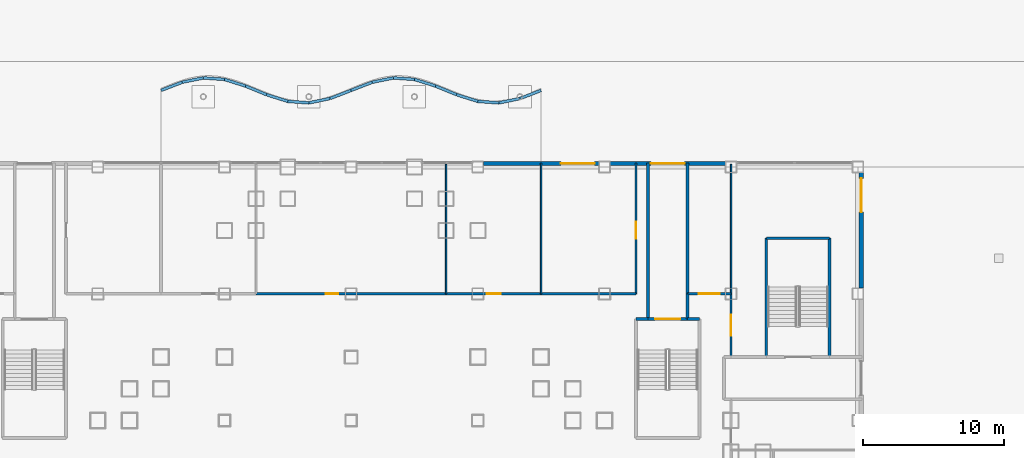
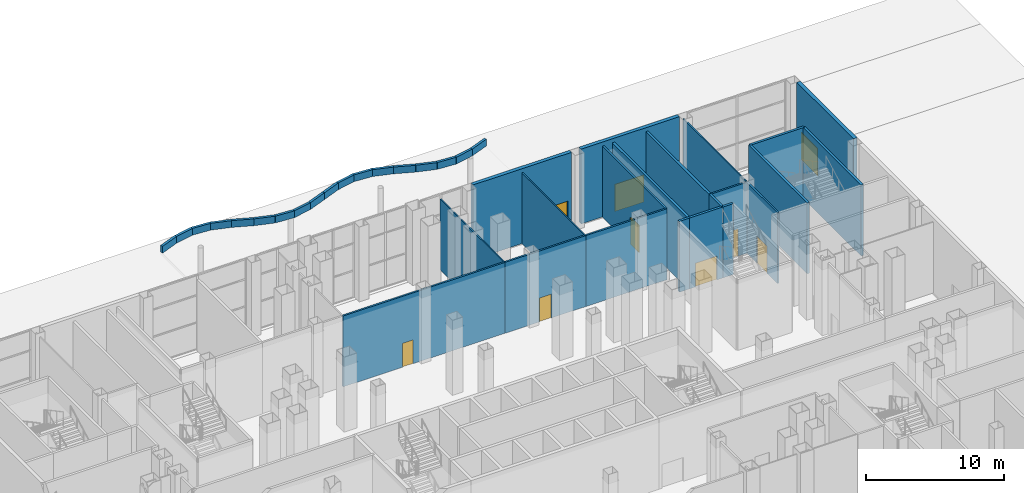
# One storey, part 17 of 38: 39 walls, 9 doors, 9 openings.
"""IFC4 building model written with IfcOpenShell, lengths in metres."""

from ifc_helpers import new_model, si_unit, direction, frame, frame_2d, origin, place, context, subcontext, project, spatial, rectangle, extrude, material, layer, layer_set, type_object, element, fill, save


model = new_model("IFC4")

# Units and contexts
model_context = context("Model", 3, precision=1e-05, world=origin(), true_north=direction((0.0, 1.0)))
body_context = subcontext(model_context, "Body", "Model", "MODEL_VIEW")
ifc_project = project(units=[si_unit("LENGTHUNIT", "METRE"), si_unit("AREAUNIT", "SQUARE_METRE"), si_unit("VOLUMEUNIT", "CUBIC_METRE"), si_unit("PLANEANGLEUNIT", "RADIAN"), si_unit("MASSUNIT", "GRAM", prefix="KILO")], contexts=[model_context])

# Site, building, storey
site_placement = place(None, origin())
site = spatial("IfcSite", under=ifc_project, at=site_placement, CompositionType="ELEMENT")
building_placement = place(site_placement, origin())
building = spatial("IfcBuilding", under=site, at=building_placement, Name="Caravel Reach Hotel and Residences", CompositionType="ELEMENT")
storey_placement = place(building_placement, origin())
storey = spatial("IfcBuildingStorey", under=building, at=storey_placement, Name="L00", CompositionType="ELEMENT", Elevation=0.0)

# Walls
ifc_material_1 = material(Name="Autoclaved aerated block wall")
ifc_layer_1 = layer(ifc_material_1, 0.199951171875)
ifc_layer_set_1 = layer_set([ifc_layer_1], Name="Compartment wall 200 mm EI 120")
wall_type_1 = type_object("IfcWallType", Name="Compartment wall 200 mm EI 120", PredefinedType="PARTITIONING", material=ifc_layer_set_1)
wall_1_placement = place(storey_placement, frame((52.60009765625, 43.199951171875, 0.0), z_axis=(0.0, 0.0, 1.0), x_axis=(0.0, 1.0, 0.0)))
element("IfcWall", 1, at=wall_1_placement, inside=storey, type_object=wall_type_1, Name="L00 wall w075", PredefinedType="PARTITIONING", context=body_context, shape_type="SweptSolid", body=[
    extrude(rectangle(XDim=11.090087890625, YDim=0.199951171875, at=frame_2d((5.544921875, 0.0))), origin(), (0.0, 0.0, 1.0), 6.25),
])
wall_2_placement = place(storey_placement, frame((55.39990234375, 43.199951171875, 0.0), z_axis=(0.0, 0.0, 1.0), x_axis=(0.0, 1.0, 0.0)))
element("IfcWall", 2, at=wall_2_placement, inside=storey, type_object=wall_type_1, Name="L00 wall w077", PredefinedType="PARTITIONING", context=body_context, shape_type="SweptSolid", body=[
    extrude(rectangle(XDim=1.800048828125, YDim=0.199951171875, at=frame_2d((0.89990234375, 0.0))), origin(), (0.0, 0.0, 1.0), 6.25),
])
wall_3_placement = place(storey_placement, frame((55.39990234375, 45.0, 0.0), z_axis=(0.0, 0.0, 1.0), x_axis=(0.0, 1.0, 0.0)))
element("IfcWall", 3, at=wall_3_placement, inside=storey, type_object=wall_type_1, Name="L00 wall w078", PredefinedType="PARTITIONING", context=body_context, shape_type="SweptSolid", body=[
    extrude(rectangle(XDim=9.2900390625, YDim=0.199951171875, at=frame_2d((4.64501953125, 0.0))), origin(), (0.0, 0.0, 1.0), 6.25),
])

# Wall, opening, door
ifc_material_2 = material(Name="Gypsum board on steel stud, fire-rated", Category="steel")
ifc_layer_2 = layer(ifc_material_2, 0.14990234375)
ifc_layer_set_2 = layer_set([ifc_layer_2], Name="Corridor wall 150 mm EI 60")
wall_type_2 = type_object("IfcWallType", Name="Corridor wall 150 mm EI 60", PredefinedType="PARTITIONING", material=ifc_layer_set_2)
wall_4_placement = place(storey_placement, frame((24.75, 45.0, 0.0), z_axis=(0.0, 0.0, 1.0), x_axis=(1.0, 0.0, 0.0)))
wall_4 = element("IfcWall", 4, at=wall_4_placement, inside=storey, type_object=wall_type_2, Name="L00 wall w014", PredefinedType="PARTITIONING", context=body_context, shape_type="SweptSolid", body=[
    extrude(rectangle(XDim=13.5, YDim=0.14990234375, at=frame_2d((6.75, 0.0))), origin(), (0.0, 0.0, 1.0), 6.25),
])
opening_1_placement = place(wall_4_placement, frame((4.949951171875, 0.0, 0.0)))
opening_1 = element("IfcOpeningElement", 5, at=opening_1_placement, cuts=wall_4, Name="Opening D00-042", PredefinedType="OPENING", context=body_context, shape_type="SweptSolid", body=[
    extrude(rectangle(XDim=0.89990234375, YDim=2.10009765625, at=frame_2d((0.449951171875, 1.050048828125))), frame((0.0, 0.0849609375, 0.0), z_axis=(0.0, -1.0, 0.0), x_axis=(1.0, 0.0, 0.0)), (0.0, 0.0, 1.0), 0.169921875),
])
ifc_material_3 = material(Name="Timber and steel door leaf", Category="steel")
door_type_1 = type_object("IfcDoorType", Name="Door 900 x 2100 timber", OperationType="SINGLE_SWING_LEFT", PredefinedType="DOOR", material=ifc_material_3)
door_1_placement = place(opening_1_placement, origin())
door_1 = element("IfcDoor", 6, at=door_1_placement, inside=storey, type_object=door_type_1, Name="door D00-042", OperationType="SINGLE_SWING_LEFT", OverallHeight=2.10009765625, OverallWidth=0.89990234375, PredefinedType="DOOR", context=body_context, shape_type="SweptSolid", body=[
    extrude(rectangle(XDim=0.89990234375, YDim=2.10009765625, at=frame_2d((0.449951171875, 1.050048828125))), frame((0.0, 0.02490234375, 0.0), z_axis=(0.0, -1.0, 0.0), x_axis=(1.0, 0.0, 0.0)), (0.0, 0.0, 1.0), 0.050048828125),
])
fill(opening_1, door_1)

wall_5_placement = place(storey_placement, frame((38.25, 45.0, 0.0), z_axis=(0.0, 0.0, 1.0), x_axis=(1.0, 0.0, 0.0)))
wall_5 = element("IfcWall", 7, at=wall_5_placement, inside=storey, type_object=wall_type_2, Name="L00 wall w015", PredefinedType="PARTITIONING", context=body_context, shape_type="SweptSolid", body=[
    extrude(rectangle(XDim=6.75, YDim=0.14990234375, at=frame_2d((3.375, 0.0))), origin(), (0.0, 0.0, 1.0), 6.25),
])
opening_2_placement = place(wall_5_placement, frame((2.875, 0.0, 0.0)))
opening_2 = element("IfcOpeningElement", 8, at=opening_2_placement, cuts=wall_5, Name="Opening D00-043", PredefinedType="OPENING", context=body_context, shape_type="SweptSolid", body=[
    extrude(rectangle(XDim=1.0, YDim=2.10009765625, at=frame_2d((0.5, 1.050048828125))), frame((0.0, 0.0849609375, 0.0), z_axis=(0.0, -1.0, 0.0), x_axis=(1.0, 0.0, 0.0)), (0.0, 0.0, 1.0), 0.169921875),
])
ifc_material_4 = material(Name="Steel fire door leaf", Category="steel")
door_type_2 = type_object("IfcDoorType", Name="Fire door 1000 x 2100 EI 60", OperationType="SINGLE_SWING_LEFT", PredefinedType="DOOR", material=ifc_material_4)
door_2_placement = place(opening_2_placement, origin())
door_2 = element("IfcDoor", 9, at=door_2_placement, inside=storey, type_object=door_type_2, Name="door D00-043", OperationType="SINGLE_SWING_RIGHT", OverallHeight=2.10009765625, OverallWidth=1.0, PredefinedType="DOOR", context=body_context, shape_type="SweptSolid", body=[
    extrude(rectangle(XDim=1.0, YDim=2.10009765625, at=frame_2d((0.5, 1.050048828125))), frame((0.0, 0.02490234375, 0.0), z_axis=(0.0, -1.0, 0.0), x_axis=(1.0, 0.0, 0.0)), (0.0, 0.0, 1.0), 0.050048828125),
])
fill(opening_2, door_2)

# Wall
wall_6_placement = place(storey_placement, frame((45.0, 45.0, 0.0), z_axis=(0.0, 0.0, 1.0), x_axis=(1.0, 0.0, 0.0)))
element("IfcWall", 10, at=wall_6_placement, inside=storey, type_object=wall_type_2, Name="L00 wall w016", PredefinedType="PARTITIONING", context=body_context, shape_type="SweptSolid", body=[
    extrude(rectangle(XDim=6.75, YDim=0.14990234375, at=frame_2d((3.375, 0.0))), origin(), (0.0, 0.0, 1.0), 6.25),
])

# Wall, opening, door
wall_7_placement = place(storey_placement, frame((55.39990234375, 45.0, 0.0), z_axis=(0.0, 0.0, 1.0), x_axis=(1.0, 0.0, 0.0)))
wall_7 = element("IfcWall", 11, at=wall_7_placement, inside=storey, type_object=wall_type_2, Name="L00 wall w017", PredefinedType="PARTITIONING", context=body_context, shape_type="SweptSolid", body=[
    extrude(rectangle(XDim=3.10009765625, YDim=0.14990234375, at=frame_2d((1.550048828125, 0.0))), origin(), (0.0, 0.0, 1.0), 6.25),
])
opening_3_placement = place(wall_7_placement, frame((0.800048828125, 0.0, 0.0)))
opening_3 = element("IfcOpeningElement", 12, at=opening_3_placement, cuts=wall_7, Name="Opening D00-045", PredefinedType="OPENING", context=body_context, shape_type="SweptSolid", body=[
    extrude(rectangle(XDim=1.5, YDim=2.39990234375, at=frame_2d((0.75, 1.199951171875))), frame((0.0, 0.0849609375, 0.0), z_axis=(0.0, -1.0, 0.0), x_axis=(1.0, 0.0, 0.0)), (0.0, 0.0, 1.0), 0.169921875),
])
ifc_material_5 = material(Name="Steel fire door leaf", Category="steel")
door_type_3 = type_object("IfcDoorType", Name="Service door pair 1500 x 2400 EI 60", OperationType="DOUBLE_DOOR_SINGLE_SWING", PredefinedType="DOOR", material=ifc_material_5)
door_3_placement = place(opening_3_placement, origin())
door_3 = element("IfcDoor", 13, at=door_3_placement, inside=storey, type_object=door_type_3, Name="door D00-045", OperationType="DOUBLE_DOOR_SINGLE_SWING", OverallHeight=2.39990234375, OverallWidth=1.5, PredefinedType="DOOR", context=body_context, shape_type="SweptSolid", body=[
    extrude(rectangle(XDim=1.5, YDim=2.39990234375, at=frame_2d((0.75, 1.199951171875))), frame((0.0, 0.02490234375, 0.0), z_axis=(0.0, -1.0, 0.0), x_axis=(1.0, 0.0, 0.0)), (0.0, 0.0, 1.0), 0.050048828125),
])
fill(opening_3, door_3)

wall_8_placement = place(storey_placement, frame((51.75, 45.0, 0.0), z_axis=(0.0, 0.0, 1.0), x_axis=(0.0, 1.0, 0.0)))
wall_8 = element("IfcWall", 14, at=wall_8_placement, inside=storey, type_object=wall_type_2, Name="L00 wall w027", PredefinedType="PARTITIONING", context=body_context, shape_type="SweptSolid", body=[
    extrude(rectangle(XDim=9.2900390625, YDim=0.14990234375, at=frame_2d((4.64501953125, 0.0))), origin(), (0.0, 0.0, 1.0), 6.25),
])
opening_4_placement = place(wall_8_placement, frame((3.89990234375, 0.0, 0.0)))
opening_4 = element("IfcOpeningElement", 15, at=opening_4_placement, cuts=wall_8, Name="Opening D00-044", PredefinedType="OPENING", context=body_context, shape_type="SweptSolid", body=[
    extrude(rectangle(XDim=1.199951171875, YDim=2.39990234375, at=frame_2d((0.60009765625, 1.199951171875))), frame((0.0, 0.0849609375, 0.0), z_axis=(0.0, -1.0, 0.0), x_axis=(1.0, 0.0, 0.0)), (0.0, 0.0, 1.0), 0.169921875),
])
ifc_material_6 = material(Name="Timber and steel door leaf", Category="steel")
door_type_4 = type_object("IfcDoorType", Name="Glazed door 1200 x 2400", OperationType="SINGLE_SWING_LEFT", PredefinedType="DOOR", material=ifc_material_6)
door_4_placement = place(opening_4_placement, origin())
door_4 = element("IfcDoor", 16, at=door_4_placement, inside=storey, type_object=door_type_4, Name="door D00-044", OperationType="SINGLE_SWING_RIGHT", OverallHeight=2.39990234375, OverallWidth=1.199951171875, PredefinedType="DOOR", context=body_context, shape_type="SweptSolid", body=[
    extrude(rectangle(XDim=1.199951171875, YDim=2.39990234375, at=frame_2d((0.60009765625, 1.199951171875))), frame((0.0, 0.02490234375, 0.0), z_axis=(0.0, -1.0, 0.0), x_axis=(1.0, 0.0, 0.0)), (0.0, 0.0, 1.0), 0.050048828125),
])
fill(opening_4, door_4)

wall_9_placement = place(storey_placement, frame((58.5, 40.5, 0.0), z_axis=(0.0, 0.0, 1.0), x_axis=(0.0, 1.0, 0.0)))
wall_9 = element("IfcWall", 17, at=wall_9_placement, inside=storey, type_object=wall_type_2, Name="L00 wall w031", PredefinedType="PARTITIONING", context=body_context, shape_type="SweptSolid", body=[
    extrude(rectangle(XDim=4.5, YDim=0.14990234375, at=frame_2d((2.25, 0.0))), origin(), (0.0, 0.0, 1.0), 6.25),
])
opening_5_placement = place(wall_9_placement, frame((1.5, 0.0, 0.0)))
opening_5 = element("IfcOpeningElement", 18, at=opening_5_placement, cuts=wall_9, Name="Opening D00-036", PredefinedType="OPENING", context=body_context, shape_type="SweptSolid", body=[
    extrude(rectangle(XDim=1.5, YDim=2.39990234375, at=frame_2d((0.75, 1.199951171875))), frame((0.0, 0.0849609375, 0.0), z_axis=(0.0, -1.0, 0.0), x_axis=(1.0, 0.0, 0.0)), (0.0, 0.0, 1.0), 0.169921875),
])
ifc_material_7 = material(Name="Timber and steel door leaf", Category="steel")
door_type_5 = type_object("IfcDoorType", Name="Shopfront door 1500 x 2400", OperationType="DOUBLE_DOOR_SINGLE_SWING", PredefinedType="DOOR", material=ifc_material_7)
door_5_placement = place(opening_5_placement, origin())
door_5 = element("IfcDoor", 19, at=door_5_placement, inside=storey, type_object=door_type_5, Name="door D00-036", OperationType="DOUBLE_DOOR_SINGLE_SWING", OverallHeight=2.39990234375, OverallWidth=1.5, PredefinedType="DOOR", context=body_context, shape_type="SweptSolid", body=[
    extrude(rectangle(XDim=1.5, YDim=2.39990234375, at=frame_2d((0.75, 1.199951171875))), frame((0.0, 0.02490234375, 0.0), z_axis=(0.0, -1.0, 0.0), x_axis=(1.0, 0.0, 0.0)), (0.0, 0.0, 1.0), 0.050048828125),
])
fill(opening_5, door_5)

ifc_material_8 = material(Name="Insulated wall, stone cladding", Category="masonry")
ifc_layer_3 = layer(ifc_material_8, 0.300048828125)
ifc_layer_set_3 = layer_set([ifc_layer_3], Name="EW2 Podium stone-clad wall")
wall_type_3 = type_object("IfcWallType", Name="EW2 Podium stone-clad wall", PredefinedType="SOLIDWALL", material=ifc_layer_set_3)
wall_10_placement = place(storey_placement, frame((67.75, 53.60009765625, 0.0), z_axis=(0.0, 0.0, 1.0), x_axis=(0.0, -1.0, 0.0)))
wall_10 = element("IfcWall", 20, at=wall_10_placement, inside=storey, type_object=wall_type_3, Name="External wall L00 E1.6", PredefinedType="SOLIDWALL", context=body_context, shape_type="SweptSolid", body=[
    extrude(rectangle(XDim=8.2001953125, YDim=0.300048828125, at=frame_2d((4.10009765625, 0.0))), origin(), (0.0, 0.0, 1.0), 6.60009765625),
])
opening_6_placement = place(wall_10_placement, frame((0.39990234375, 0.0, 0.0)))
opening_6 = element("IfcOpeningElement", 21, at=opening_6_placement, cuts=wall_10, Name="Opening D00-820", PredefinedType="OPENING", context=body_context, shape_type="SweptSolid", body=[
    extrude(rectangle(XDim=2.39990234375, YDim=2.39990234375, at=frame_2d((1.199951171875, 1.199951171875))), frame((0.0, 0.159912109375, 0.0), z_axis=(0.0, -1.0, 0.0), x_axis=(1.0, 0.0, 0.0)), (0.0, 0.0, 1.0), 0.320068359375),
])
ifc_material_9 = material(Name="Dark glazed door in black aluminium frame", Category="aluminium")
door_type_6 = type_object("IfcDoorType", Name="Entrance door 2400 x 2400", OperationType="DOUBLE_DOOR_SINGLE_SWING", PredefinedType="DOOR", material=ifc_material_9)
door_6_placement = place(opening_6_placement, origin())
door_6 = element("IfcDoor", 22, at=door_6_placement, inside=storey, type_object=door_type_6, Name="Door D00-820", OperationType="DOUBLE_DOOR_SINGLE_SWING", OverallHeight=2.39990234375, OverallWidth=2.39990234375, PredefinedType="DOOR", context=body_context, shape_type="SweptSolid", body=[
    extrude(rectangle(XDim=2.39990234375, YDim=2.39990234375, at=frame_2d((1.199951171875, 1.199951171875))), frame((0.0, 0.02490234375, 0.0), z_axis=(0.0, -1.0, 0.0), x_axis=(1.0, 0.0, 0.0)), (0.0, 0.0, 1.0), 0.050048828125),
])
fill(opening_6, door_6)

wall_11_placement = place(storey_placement, frame((49.89990234375, 54.25, 0.0), z_axis=(0.0, 0.0, 1.0), x_axis=(1.0, 0.0, 0.0)))
wall_11 = element("IfcWall", 23, at=wall_11_placement, inside=storey, type_object=wall_type_3, Name="External wall L00 N2.2", PredefinedType="SOLIDWALL", context=body_context, shape_type="SweptSolid", body=[
    extrude(rectangle(XDim=8.2001953125, YDim=0.300048828125, at=frame_2d((4.10009765625, 0.0))), origin(), (0.0, 0.0, 1.0), 6.60009765625),
])
opening_7_placement = place(wall_11_placement, frame((2.89990234375, 0.0, 0.0)))
opening_7 = element("IfcOpeningElement", 24, at=opening_7_placement, cuts=wall_11, Name="Opening D00-821", PredefinedType="OPENING", context=body_context, shape_type="SweptSolid", body=[
    extrude(rectangle(XDim=2.39990234375, YDim=2.39990234375, at=frame_2d((1.199951171875, 1.199951171875))), frame((0.0, 0.159912109375, 0.0), z_axis=(0.0, -1.0, 0.0), x_axis=(1.0, 0.0, 0.0)), (0.0, 0.0, 1.0), 0.320068359375),
])
door_7_placement = place(opening_7_placement, origin())
door_7 = element("IfcDoor", 25, at=door_7_placement, inside=storey, type_object=door_type_6, Name="Door D00-821", OperationType="DOUBLE_DOOR_SINGLE_SWING", OverallHeight=2.39990234375, OverallWidth=2.39990234375, PredefinedType="DOOR", context=body_context, shape_type="SweptSolid", body=[
    extrude(rectangle(XDim=2.39990234375, YDim=2.39990234375, at=frame_2d((1.199951171875, 1.199951171875))), frame((0.0, 0.02490234375, 0.0), z_axis=(0.0, -1.0, 0.0), x_axis=(1.0, 0.0, 0.0)), (0.0, 0.0, 1.0), 0.050048828125),
])
fill(opening_7, door_7)

wall_12_placement = place(storey_placement, frame((40.89990234375, 54.25, 0.0), z_axis=(0.0, 0.0, 1.0), x_axis=(1.0, 0.0, 0.0)))
wall_12 = element("IfcWall", 26, at=wall_12_placement, inside=storey, type_object=wall_type_3, Name="External wall L00 N2.3", PredefinedType="SOLIDWALL", context=body_context, shape_type="SweptSolid", body=[
    extrude(rectangle(XDim=8.2001953125, YDim=0.300048828125, at=frame_2d((4.10009765625, 0.0))), origin(), (0.0, 0.0, 1.0), 6.60009765625),
])
opening_8_placement = place(wall_12_placement, frame((5.5, 0.0, 0.0)))
opening_8 = element("IfcOpeningElement", 27, at=opening_8_placement, cuts=wall_12, Name="Opening D00-822", PredefinedType="OPENING", context=body_context, shape_type="SweptSolid", body=[
    extrude(rectangle(XDim=2.39990234375, YDim=2.39990234375, at=frame_2d((1.199951171875, 1.199951171875))), frame((0.0, 0.159912109375, 0.0), z_axis=(0.0, -1.0, 0.0), x_axis=(1.0, 0.0, 0.0)), (0.0, 0.0, 1.0), 0.320068359375),
])
door_8_placement = place(opening_8_placement, origin())
door_8 = element("IfcDoor", 28, at=door_8_placement, inside=storey, type_object=door_type_6, Name="Door D00-822", OperationType="DOUBLE_DOOR_SINGLE_SWING", OverallHeight=2.39990234375, OverallWidth=2.39990234375, PredefinedType="DOOR", context=body_context, shape_type="SweptSolid", body=[
    extrude(rectangle(XDim=2.39990234375, YDim=2.39990234375, at=frame_2d((1.199951171875, 1.199951171875))), frame((0.0, 0.02490234375, 0.0), z_axis=(0.0, -1.0, 0.0), x_axis=(1.0, 0.0, 0.0)), (0.0, 0.0, 1.0), 0.050048828125),
])
fill(opening_8, door_8)

# Walls
ifc_material_10 = material(Name="Insulated upstand, aluminium coping and cladding", Category="aluminium")
ifc_layer_4 = layer(ifc_material_10, 0.199951171875)
ifc_layer_set_4 = layer_set([ifc_layer_4], Name="PA1 Canopy edge parapet 200")
wall_type_4 = type_object("IfcWallType", Name="PA1 Canopy edge parapet 200", PredefinedType="PARAPET", material=ifc_layer_set_4)
wall_13_placement = place(storey_placement, frame((18.0, 59.449951171875, 5.39990234375), z_axis=(0.0, 0.0, 1.0), x_axis=(0.932992917496, 0.359894728917, 0.0)))
element("IfcWall", 29, at=wall_13_placement, inside=storey, type_object=wall_type_4, Name="Canopy parapet 1", PredefinedType="PARAPET", context=body_context, shape_type="SweptSolid", body=[
    extrude(rectangle(XDim=1.607666015625, YDim=0.199951171875, at=frame_2d((0.8037109375, 0.0))), origin(), (0.0, 0.0, 1.0), 0.60009765625),
])
wall_14_placement = place(storey_placement, frame((19.5, 60.028564453125, 5.39990234375), z_axis=(0.0, 0.0, 1.0), x_axis=(0.979580967222, 0.20105006505, 0.0)))
element("IfcWall", 30, at=wall_14_placement, inside=storey, type_object=wall_type_4, Name="Canopy parapet 2", PredefinedType="PARAPET", context=body_context, shape_type="SweptSolid", body=[
    extrude(rectangle(XDim=1.53125, YDim=0.199951171875, at=frame_2d((0.765625, 0.0))), origin(), (0.0, 0.0, 1.0), 0.60009765625),
])
wall_15_placement = place(storey_placement, frame((21.0, 60.33642578125, 5.39990234375), z_axis=(0.0, 0.0, 1.0), x_axis=(0.997468579465, -0.071108599903, 0.0)))
element("IfcWall", 31, at=wall_15_placement, inside=storey, type_object=wall_type_4, Name="Canopy parapet 3", PredefinedType="PARAPET", context=body_context, shape_type="SweptSolid", body=[
    extrude(rectangle(XDim=1.50390625, YDim=0.199951171875, at=frame_2d((0.751953125, 0.0))), origin(), (0.0, 0.0, 1.0), 0.60009765625),
])
wall_16_placement = place(storey_placement, frame((22.5, 60.2294921875, 5.39990234375), z_axis=(0.0, 0.0, 1.0), x_axis=(0.953948026088, -0.299971937891, 0.0)))
element("IfcWall", 32, at=wall_16_placement, inside=storey, type_object=wall_type_4, Name="Canopy parapet 4", PredefinedType="PARAPET", context=body_context, shape_type="SweptSolid", body=[
    extrude(rectangle(XDim=1.572509765625, YDim=0.199951171875, at=frame_2d((0.7861328125, 0.0))), origin(), (0.0, 0.0, 1.0), 0.60009765625),
])
wall_17_placement = place(storey_placement, frame((24.0, 59.7578125, 5.39990234375), z_axis=(0.0, 0.0, 1.0), x_axis=(0.925095392646, -0.379734794963, 0.0)))
element("IfcWall", 33, at=wall_17_placement, inside=storey, type_object=wall_type_4, Name="Canopy parapet 5", PredefinedType="PARAPET", context=body_context, shape_type="SweptSolid", body=[
    extrude(rectangle(XDim=1.621337890625, YDim=0.199951171875, at=frame_2d((0.810546875, 0.0))), origin(), (0.0, 0.0, 1.0), 0.60009765625),
])
wall_18_placement = place(storey_placement, frame((25.5, 59.14208984375, 5.39990234375), z_axis=(0.0, 0.0, 1.0), x_axis=(0.953992447952, -0.299830634277, 0.0)))
element("IfcWall", 34, at=wall_18_placement, inside=storey, type_object=wall_type_4, Name="Canopy parapet 6", PredefinedType="PARAPET", context=body_context, shape_type="SweptSolid", body=[
    extrude(rectangle(XDim=1.572265625, YDim=0.199951171875, at=frame_2d((0.7861328125, 0.0))), origin(), (0.0, 0.0, 1.0), 0.60009765625),
])
wall_19_placement = place(storey_placement, frame((27.0, 58.670654296875, 5.39990234375), z_axis=(0.0, 0.0, 1.0), x_axis=(0.997468579465, -0.071108599903, 0.0)))
element("IfcWall", 35, at=wall_19_placement, inside=storey, type_object=wall_type_4, Name="Canopy parapet 7", PredefinedType="PARAPET", context=body_context, shape_type="SweptSolid", body=[
    extrude(rectangle(XDim=1.50390625, YDim=0.199951171875, at=frame_2d((0.751953125, 0.0))), origin(), (0.0, 0.0, 1.0), 0.60009765625),
])
wall_20_placement = place(storey_placement, frame((28.5, 58.563720703125, 5.39990234375), z_axis=(0.0, 0.0, 1.0), x_axis=(0.979580967222, 0.20105006505, 0.0)))
element("IfcWall", 36, at=wall_20_placement, inside=storey, type_object=wall_type_4, Name="Canopy parapet 8", PredefinedType="PARAPET", context=body_context, shape_type="SweptSolid", body=[
    extrude(rectangle(XDim=1.53125, YDim=0.199951171875, at=frame_2d((0.765625, 0.0))), origin(), (0.0, 0.0, 1.0), 0.60009765625),
])
for number, where, z_axis, x_axis, name in (
    (37, (30.0, 58.87158203125, 5.39990234375), (0.0, 0.0, 1.0), (0.933043900443, 0.359762532576, 0.0), "Canopy parapet 9"),
    (38, (31.5, 59.449951171875, 5.39990234375), (0.0, 0.0, 1.0), (0.932992917496, 0.359894728917, 0.0), "Canopy parapet 10"),
):
    element("IfcWall", number, at=place(storey_placement, frame(where, z_axis=z_axis, x_axis=x_axis)), inside=storey, type_object=wall_type_4, Name=name, PredefinedType="PARAPET", context=body_context, shape_type="SweptSolid", body=[
        extrude(rectangle(XDim=1.607666015625, YDim=0.199951171875, at=frame_2d((0.8037109375, 0.0))), origin(), (0.0, 0.0, 1.0), 0.60009765625),
    ])
wall_21_placement = place(storey_placement, frame((33.0, 60.028564453125, 5.39990234375), z_axis=(0.0, 0.0, 1.0), x_axis=(0.979580967222, 0.20105006505, 0.0)))
element("IfcWall", 39, at=wall_21_placement, inside=storey, type_object=wall_type_4, Name="Canopy parapet 11", PredefinedType="PARAPET", context=body_context, shape_type="SweptSolid", body=[
    extrude(rectangle(XDim=1.53125, YDim=0.199951171875, at=frame_2d((0.765625, 0.0))), origin(), (0.0, 0.0, 1.0), 0.60009765625),
])
wall_22_placement = place(storey_placement, frame((34.5, 60.33642578125, 5.39990234375), z_axis=(0.0, 0.0, 1.0), x_axis=(0.997468579465, -0.071108599903, 0.0)))
element("IfcWall", 40, at=wall_22_placement, inside=storey, type_object=wall_type_4, Name="Canopy parapet 12", PredefinedType="PARAPET", context=body_context, shape_type="SweptSolid", body=[
    extrude(rectangle(XDim=1.50390625, YDim=0.199951171875, at=frame_2d((0.751953125, 0.0))), origin(), (0.0, 0.0, 1.0), 0.60009765625),
])
wall_23_placement = place(storey_placement, frame((36.0, 60.2294921875, 5.39990234375), z_axis=(0.0, 0.0, 1.0), x_axis=(0.953948026088, -0.299971937891, 0.0)))
element("IfcWall", 41, at=wall_23_placement, inside=storey, type_object=wall_type_4, Name="Canopy parapet 13", PredefinedType="PARAPET", context=body_context, shape_type="SweptSolid", body=[
    extrude(rectangle(XDim=1.572509765625, YDim=0.199951171875, at=frame_2d((0.7861328125, 0.0))), origin(), (0.0, 0.0, 1.0), 0.60009765625),
])
wall_24_placement = place(storey_placement, frame((37.5, 59.7578125, 5.39990234375), z_axis=(0.0, 0.0, 1.0), x_axis=(0.925095392646, -0.379734794963, 0.0)))
element("IfcWall", 42, at=wall_24_placement, inside=storey, type_object=wall_type_4, Name="Canopy parapet 14", PredefinedType="PARAPET", context=body_context, shape_type="SweptSolid", body=[
    extrude(rectangle(XDim=1.621337890625, YDim=0.199951171875, at=frame_2d((0.810546875, 0.0))), origin(), (0.0, 0.0, 1.0), 0.60009765625),
])
wall_25_placement = place(storey_placement, frame((39.0, 59.14208984375, 5.39990234375), z_axis=(0.0, 0.0, 1.0), x_axis=(0.953992447952, -0.299830634277, 0.0)))
element("IfcWall", 43, at=wall_25_placement, inside=storey, type_object=wall_type_4, Name="Canopy parapet 15", PredefinedType="PARAPET", context=body_context, shape_type="SweptSolid", body=[
    extrude(rectangle(XDim=1.572265625, YDim=0.199951171875, at=frame_2d((0.7861328125, 0.0))), origin(), (0.0, 0.0, 1.0), 0.60009765625),
])
wall_26_placement = place(storey_placement, frame((40.5, 58.670654296875, 5.39990234375), z_axis=(0.0, 0.0, 1.0), x_axis=(0.997468579465, -0.071108599903, 0.0)))
element("IfcWall", 44, at=wall_26_placement, inside=storey, type_object=wall_type_4, Name="Canopy parapet 16", PredefinedType="PARAPET", context=body_context, shape_type="SweptSolid", body=[
    extrude(rectangle(XDim=1.50390625, YDim=0.199951171875, at=frame_2d((0.751953125, 0.0))), origin(), (0.0, 0.0, 1.0), 0.60009765625),
])
wall_27_placement = place(storey_placement, frame((42.0, 58.563720703125, 5.39990234375), z_axis=(0.0, 0.0, 1.0), x_axis=(0.979580967222, 0.20105006505, 0.0)))
element("IfcWall", 45, at=wall_27_placement, inside=storey, type_object=wall_type_4, Name="Canopy parapet 17", PredefinedType="PARAPET", context=body_context, shape_type="SweptSolid", body=[
    extrude(rectangle(XDim=1.53125, YDim=0.199951171875, at=frame_2d((0.765625, 0.0))), origin(), (0.0, 0.0, 1.0), 0.60009765625),
])
wall_28_placement = place(storey_placement, frame((43.5, 58.87158203125, 5.39990234375), z_axis=(0.0, 0.0, 1.0), x_axis=(0.933043900443, 0.359762532576, 0.0)))
element("IfcWall", 46, at=wall_28_placement, inside=storey, type_object=wall_type_4, Name="Canopy parapet 18", PredefinedType="PARAPET", context=body_context, shape_type="SweptSolid", body=[
    extrude(rectangle(XDim=1.607666015625, YDim=0.199951171875, at=frame_2d((0.8037109375, 0.0))), origin(), (0.0, 0.0, 1.0), 0.60009765625),
])
ifc_material_11 = material(Name="Gypsum board on steel stud", Category="steel")
ifc_layer_5 = layer(ifc_material_11, 0.10009765625)
ifc_layer_set_5 = layer_set([ifc_layer_5], Name="Partition 100 mm")
wall_type_5 = type_object("IfcWallType", Name="Partition 100 mm", PredefinedType="PARTITIONING", material=ifc_layer_set_5)
wall_29_placement = place(storey_placement, frame((38.25, 45.0, 0.0), z_axis=(0.0, 0.0, 1.0), x_axis=(0.0, 1.0, 0.0)))
element("IfcWall", 47, at=wall_29_placement, inside=storey, type_object=wall_type_5, Name="L00 wall w041", PredefinedType="PARTITIONING", context=body_context, shape_type="SweptSolid", body=[
    extrude(rectangle(XDim=9.18994140625, YDim=0.10009765625, at=frame_2d((4.594970703125, 0.0))), origin(), (0.0, 0.0, 1.0), 6.25),
])
wall_30_placement = place(storey_placement, frame((45.0, 45.0, 0.0), z_axis=(0.0, 0.0, 1.0), x_axis=(0.0, 1.0, 0.0)))
element("IfcWall", 48, at=wall_30_placement, inside=storey, type_object=wall_type_5, Name="L00 wall w043", PredefinedType="PARTITIONING", context=body_context, shape_type="SweptSolid", body=[
    extrude(rectangle(XDim=9.2900390625, YDim=0.10009765625, at=frame_2d((4.64501953125, 0.0))), origin(), (0.0, 0.0, 1.0), 6.25),
])
wall_31_placement = place(storey_placement, frame((58.5, 45.0, 0.0), z_axis=(0.0, 0.0, 1.0), x_axis=(0.0, 1.0, 0.0)))
element("IfcWall", 49, at=wall_31_placement, inside=storey, type_object=wall_type_5, Name="L00 wall w044", PredefinedType="PARTITIONING", context=body_context, shape_type="SweptSolid", body=[
    extrude(rectangle(XDim=9.18994140625, YDim=0.10009765625, at=frame_2d((4.594970703125, 0.0))), origin(), (0.0, 0.0, 1.0), 6.25),
])
ifc_material_12 = material(Name="Concrete C60", Category="concrete")
ifc_layer_6 = layer(ifc_material_12, 0.199951171875)
ifc_layer_set_6 = layer_set([ifc_layer_6], Name="Stair enclosure wall 200 mm EI 120")
wall_type_6 = type_object("IfcWallType", Name="Stair enclosure wall 200 mm EI 120", PredefinedType="SHEAR", material=ifc_layer_set_6)
for number, where, z_axis, x_axis, name in (
    (50, (51.75, 43.199951171875, 0.0), (0.0, 0.0, 1.0), (1.0, 0.0, 0.0), "L00 wall w101"),
    (51, (55.39990234375, 43.199951171875, 0.0), (0.0, 0.0, 1.0), (1.0, 0.0, 0.0), "L00 wall w102"),
):
    element("IfcWall", number, at=place(storey_placement, frame(where, z_axis=z_axis, x_axis=x_axis)), inside=storey, type_object=wall_type_6, Name=name, PredefinedType="SHEAR", context=body_context, shape_type="SweptSolid", body=[
        extrude(rectangle(XDim=0.85009765625, YDim=0.199951171875, at=frame_2d((0.425048828125, 0.0))), origin(), (0.0, 0.0, 1.0), 6.25),
    ])

# Wall, opening, door
wall_32_placement = place(storey_placement, frame((52.60009765625, 43.199951171875, 0.0), z_axis=(0.0, 0.0, 1.0), x_axis=(1.0, 0.0, 0.0)))
wall_32 = element("IfcWall", 52, at=wall_32_placement, inside=storey, type_object=wall_type_6, Name="L00 wall w103", PredefinedType="SHEAR", context=body_context, shape_type="SweptSolid", body=[
    extrude(rectangle(XDim=2.7998046875, YDim=0.199951171875, at=frame_2d((1.39990234375, 0.0))), origin(), (0.0, 0.0, 1.0), 6.25),
])
opening_9_placement = place(wall_32_placement, frame((0.5, 0.0, 0.0)))
opening_9 = element("IfcOpeningElement", 53, at=opening_9_placement, cuts=wall_32, Name="Opening D00-022", PredefinedType="OPENING", context=body_context, shape_type="SweptSolid", body=[
    extrude(rectangle(XDim=1.800048828125, YDim=2.10009765625, at=frame_2d((0.89990234375, 1.050048828125))), frame((0.0, 0.10986328125, 0.0), z_axis=(0.0, -1.0, 0.0), x_axis=(1.0, 0.0, 0.0)), (0.0, 0.0, 1.0), 0.219970703125),
])
ifc_material_13 = material(Name="Steel fire door leaf", Category="steel")
door_type_7 = type_object("IfcDoorType", Name="Stair door pair 1800 x 2100 EI 90", OperationType="DOUBLE_DOOR_SINGLE_SWING", PredefinedType="DOOR", material=ifc_material_13)
door_9_placement = place(opening_9_placement, origin())
door_9 = element("IfcDoor", 54, at=door_9_placement, inside=storey, type_object=door_type_7, Name="door D00-022", OperationType="DOUBLE_DOOR_SINGLE_SWING", OverallHeight=2.10009765625, OverallWidth=1.800048828125, PredefinedType="DOOR", context=body_context, shape_type="SweptSolid", body=[
    extrude(rectangle(XDim=1.800048828125, YDim=2.10009765625, at=frame_2d((0.89990234375, 1.050048828125))), frame((0.0, 0.02490234375, 0.0), z_axis=(0.0, -1.0, 0.0), x_axis=(1.0, 0.0, 0.0)), (0.0, 0.0, 1.0), 0.050048828125),
])
fill(opening_9, door_9)

# Walls
wall_33_placement = place(storey_placement, frame((61.0, 48.949951171875, 0.0), z_axis=(0.0, 0.0, 1.0), x_axis=(1.0, 0.0, 0.0)))
element("IfcWall", 55, at=wall_33_placement, inside=storey, type_object=wall_type_6, Name="L00 wall w105", PredefinedType="SHEAR", context=body_context, shape_type="SweptSolid", body=[
    extrude(rectangle(XDim=4.5, YDim=0.199951171875, at=frame_2d((2.25, 0.0))), origin(), (0.0, 0.0, 1.0), 6.25),
])
for number, where, z_axis, x_axis, name in (
    (56, (61.0, 40.5, 0.0), (0.0, 0.0, 1.0), (0.0, 1.0, 0.0), "L00 wall w120"),
    (57, (65.5, 40.5, 0.0), (0.0, 0.0, 1.0), (0.0, 1.0, 0.0), "L00 wall w122"),
):
    element("IfcWall", number, at=place(storey_placement, frame(where, z_axis=z_axis, x_axis=x_axis)), inside=storey, type_object=wall_type_6, Name=name, PredefinedType="SHEAR", context=body_context, shape_type="SweptSolid", body=[
        extrude(rectangle(XDim=8.449951171875, YDim=0.199951171875, at=frame_2d((4.22509765625, 0.0))), origin(), (0.0, 0.0, 1.0), 6.25),
    ])

save(model, "model.ifc")
